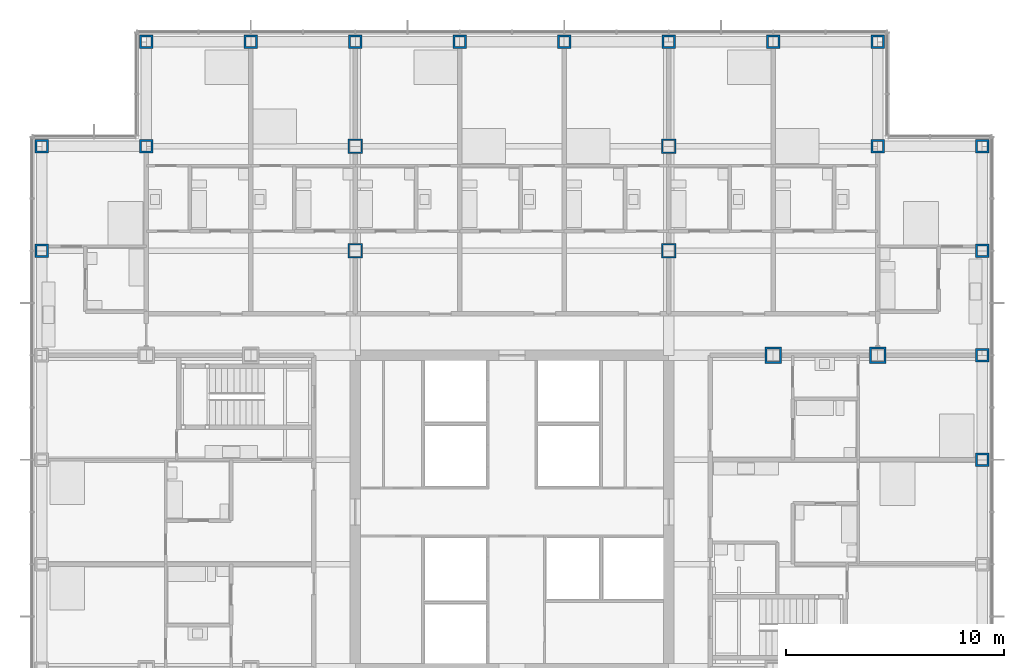
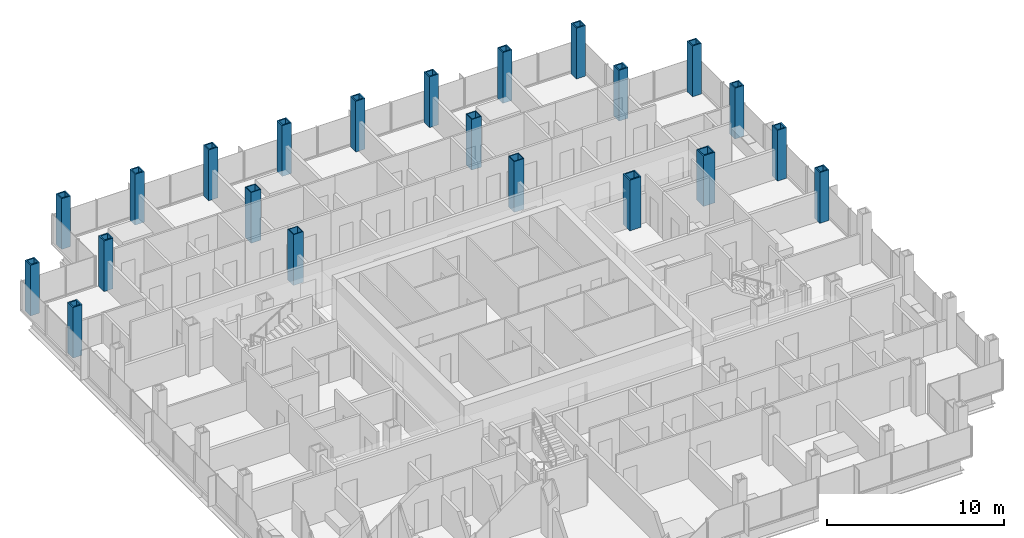
# One storey, part 5 of 22: 22 columns.
"""IFC4 building model written with IfcOpenShell, lengths in metres."""

from ifc_helpers import new_model, si_unit, direction, frame, origin, origin_2d, place, context, subcontext, project, spatial, hollow_rectangle, extrude, material, material_profile, profile_set, type_object, element, save


model = new_model("IFC4")

# Units and contexts
model_context = context("Model", 3, precision=1e-05, world=origin(), true_north=direction((0.0, 1.0)))
body_context = subcontext(model_context, "Body", "Model", "MODEL_VIEW")
ifc_project = project(units=[si_unit("LENGTHUNIT", "METRE"), si_unit("AREAUNIT", "SQUARE_METRE"), si_unit("VOLUMEUNIT", "CUBIC_METRE"), si_unit("PLANEANGLEUNIT", "RADIAN"), si_unit("MASSUNIT", "GRAM", prefix="KILO")], contexts=[model_context])

# Site, building, storey
site_placement = place(None, origin())
site = spatial("IfcSite", under=ifc_project, at=site_placement, CompositionType="ELEMENT")
building_placement = place(site_placement, origin())
building = spatial("IfcBuilding", under=site, at=building_placement, Name="Kvirike Care Tower", CompositionType="ELEMENT")
storey_placement = place(building_placement, frame((0.0, 0.0, 76.0)))
storey = spatial("IfcBuildingStorey", under=building, at=storey_placement, Name="L20", CompositionType="ELEMENT", Elevation=76.0)

# Columns
ifc_material_1 = material(Name="Steel S460", Category="steel")
ifc_material_profile_1 = material_profile(ifc_material_1, hollow_rectangle(XDim=0.60009765625, YDim=0.60009765625, WallThickness=0.080078125, at=origin_2d()), Name="BX 600x600x80")
ifc_profile_set_1 = profile_set([ifc_material_profile_1], Name="Steel S460")
column_type_1 = type_object("IfcColumnType", Name="COLUMN BX 600x600x80", PredefinedType="COLUMN", material=ifc_profile_set_1)
for number, where, z_axis, x_axis, name in (
    (1, (0.0, 48.0, 0.0), (0.0, 0.0, 1.0), (1.0, 0.0, 0.0), "Column L3 L20"),
    (2, (0.0, 52.800048828125, 0.0), (0.0, 0.0, 1.0), (0.0, 1.0, 0.0), "Column M3 L20"),
    (3, (4.800048828125, 52.800048828125, 0.0), (0.0, 0.0, 1.0), (0.0, 1.0, 0.0), "Column M4 L20"),
    (4, (4.800048828125, 57.60009765625, 0.0), (0.0, 0.0, 1.0), (0.0, 1.0, 0.0), "Column N4 L20"),
    (5, (9.60009765625, 57.60009765625, 0.0), (0.0, 0.0, 1.0), (0.0, 1.0, 0.0), "Column N5 L20"),
    (6, (14.39990234375, 57.60009765625, 0.0), (0.0, 0.0, 1.0), (0.0, 1.0, 0.0), "Column N6 L20"),
    (7, (19.199951171875, 57.60009765625, 0.0), (0.0, 0.0, 1.0), (0.0, 1.0, 0.0), "Column N7 L20"),
    (8, (24.0, 57.60009765625, 0.0), (0.0, 0.0, 1.0), (0.0, 1.0, 0.0), "Column N8 L20"),
    (9, (28.800048828125, 57.60009765625, 0.0), (0.0, 0.0, 1.0), (0.0, 1.0, 0.0), "Column N9 L20"),
    (10, (33.60009765625, 57.60009765625, 0.0), (0.0, 0.0, 1.0), (0.0, 1.0, 0.0), "Column N10 L20"),
    (11, (38.39990234375, 52.800048828125, 0.0), (0.0, 0.0, 1.0), (0.0, 1.0, 0.0), "Column M11 L20"),
    (12, (38.39990234375, 57.60009765625, 0.0), (0.0, 0.0, 1.0), (0.0, 1.0, 0.0), "Column N11 L20"),
    (13, (43.199951171875, 38.39990234375, 0.0), (0.0, 0.0, 1.0), (1.0, 0.0, 0.0), "Column J12 L20"),
    (14, (43.199951171875, 43.199951171875, 0.0), (0.0, 0.0, 1.0), (0.0, 1.0, 0.0), "Column K12 L20"),
    (15, (43.199951171875, 48.0, 0.0), (0.0, 0.0, 1.0), (1.0, 0.0, 0.0), "Column L12 L20"),
    (16, (43.199951171875, 52.800048828125, 0.0), (0.0, 0.0, 1.0), (0.0, 1.0, 0.0), "Column M12 L20"),
):
    element("IfcColumn", number, at=place(storey_placement, frame(where, z_axis=z_axis, x_axis=x_axis)), inside=storey, type_object=column_type_1, Name=name, PredefinedType="COLUMN", context=body_context, shape_type="SweptSolid", body=[
        extrude(hollow_rectangle(XDim=0.60009765625, YDim=0.60009765625, WallThickness=0.080078125, at=origin_2d()), origin(), (0.0, 0.0, 1.0), 3.5),
    ])
ifc_material_2 = material(Name="Steel S460", Category="steel")
ifc_material_profile_2 = material_profile(ifc_material_2, hollow_rectangle(XDim=0.64990234375, YDim=0.64990234375, WallThickness=0.050048828125, at=origin_2d()), Name="BX 650x650x50")
ifc_profile_set_2 = profile_set([ifc_material_profile_2], Name="Steel S460")
column_type_2 = type_object("IfcColumnType", Name="COLUMN BX 650x650x50", PredefinedType="COLUMN", material=ifc_profile_set_2)
for number, where, z_axis, x_axis, name in (
    (17, (14.39990234375, 48.0, 0.0), (0.0, 0.0, 1.0), (1.0, 0.0, 0.0), "Column L6 L20"),
    (18, (14.39990234375, 52.800048828125, 0.0), (0.0, 0.0, 1.0), (1.0, 0.0, 0.0), "Column M6 L20"),
    (19, (28.800048828125, 48.0, 0.0), (0.0, 0.0, 1.0), (1.0, 0.0, 0.0), "Column L9 L20"),
    (20, (28.800048828125, 52.800048828125, 0.0), (0.0, 0.0, 1.0), (1.0, 0.0, 0.0), "Column M9 L20"),
):
    element("IfcColumn", number, at=place(storey_placement, frame(where, z_axis=z_axis, x_axis=x_axis)), inside=storey, type_object=column_type_2, Name=name, PredefinedType="COLUMN", context=body_context, shape_type="SweptSolid", body=[
        extrude(hollow_rectangle(XDim=0.64990234375, YDim=0.64990234375, WallThickness=0.050048828125, at=origin_2d()), origin(), (0.0, 0.0, 1.0), 3.5),
    ])
ifc_material_3 = material(Name="Steel S460", Category="steel")
ifc_material_profile_3 = material_profile(ifc_material_3, hollow_rectangle(XDim=0.75, YDim=0.75, WallThickness=0.080078125, at=origin_2d()), Name="BX 750x750x80")
ifc_profile_set_3 = profile_set([ifc_material_profile_3], Name="Steel S460")
column_type_3 = type_object("IfcColumnType", Name="COLUMN BX 750x750x80", PredefinedType="COLUMN", material=ifc_profile_set_3)
for number, where, z_axis, x_axis, name in (
    (21, (33.60009765625, 43.199951171875, 0.0), (0.0, 0.0, 1.0), (0.0, 1.0, 0.0), "Column K10 L20"),
    (22, (38.39990234375, 43.199951171875, 0.0), (0.0, 0.0, 1.0), (0.0, 1.0, 0.0), "Column K11 L20"),
):
    element("IfcColumn", number, at=place(storey_placement, frame(where, z_axis=z_axis, x_axis=x_axis)), inside=storey, type_object=column_type_3, Name=name, PredefinedType="COLUMN", context=body_context, shape_type="SweptSolid", body=[
        extrude(hollow_rectangle(XDim=0.75, YDim=0.75, WallThickness=0.080078125, at=origin_2d()), origin(), (0.0, 0.0, 1.0), 3.5),
    ])

save(model, "model.ifc")
